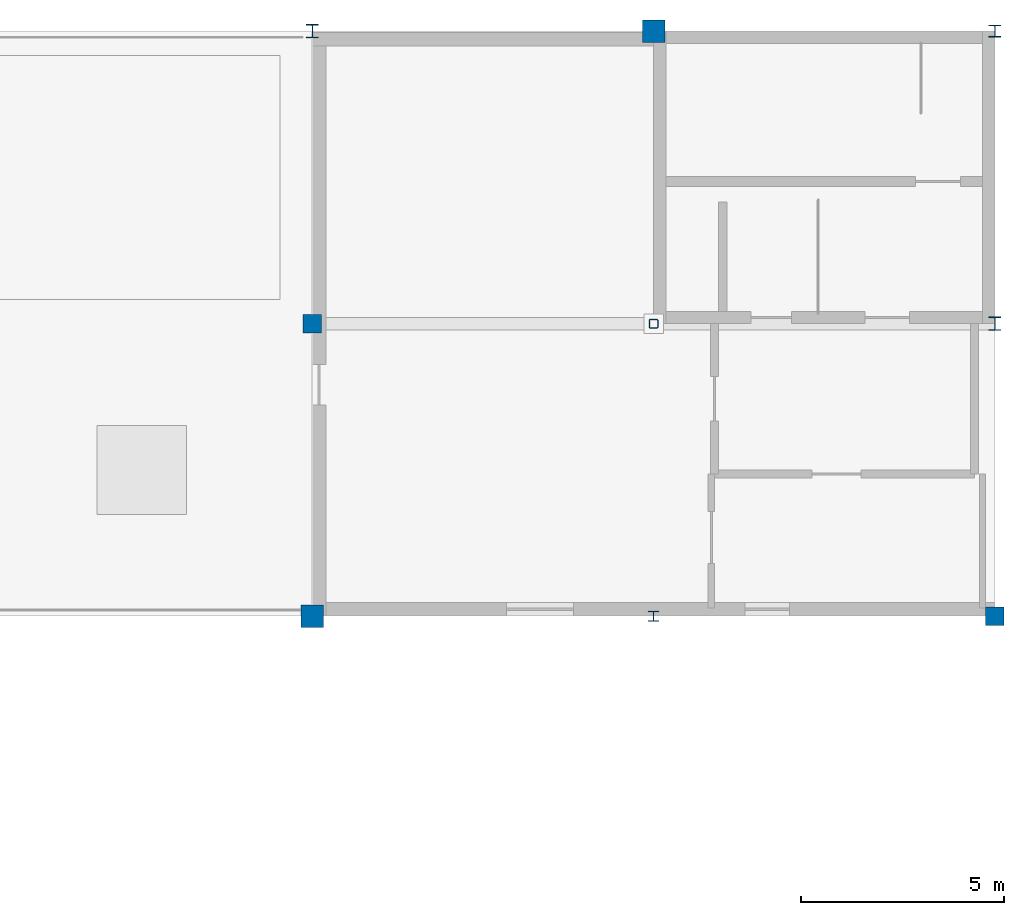
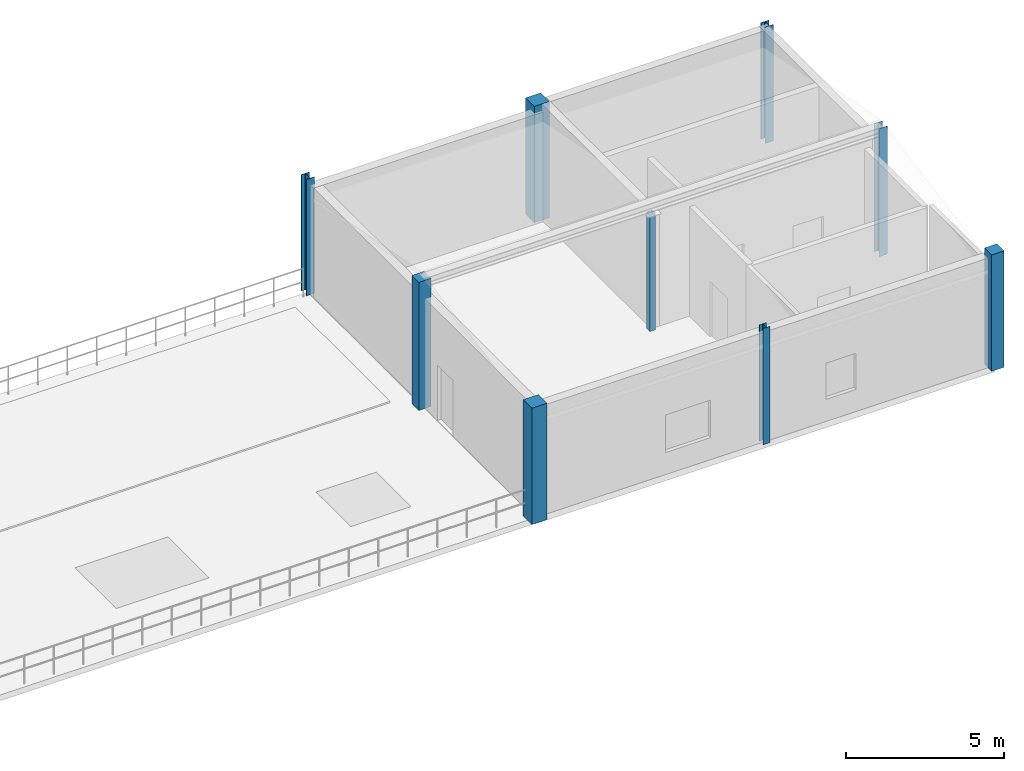
# One storey, part 2 of 5: 9 columns.
"""IFC4 building model written with IfcOpenShell, lengths in metres."""

import ifcopenshell
import ifcopenshell.guid

model = None  # the IFC model being written
_history = None  # IfcOwnerHistory: only IFC2X3 demands one
_inside = {}  # id of a spatial element -> (the spatial element, [elements in it])
_under = {}  # id of a project, library or spatial element -> (it, [spatial elements below it])
_declared = {}  # id of a project -> (the project, [libraries it declares])
_typed = {}  # id of a type object -> (the type object, [elements of that type])
_made_of = {}  # id of a material, layer set ... -> (it, [elements and type objects made of it])


def new_model(schema):
    """Start an empty IFC model of exactly this schema.

    Asked for "IFC4X3", IfcOpenShell would pick the latest addendum, in which some entities
    have other attributes; the version numbers below select the first issue.
    IFC2X3 requires an IfcOwnerHistory on every rooted entity: one is made here for all.
    """
    global model, _history
    if schema == "IFC4X3":
        model = ifcopenshell.file(schema_version=(4, 3, 0, 0))
    else:
        model = ifcopenshell.file(schema=schema)
    _inside.clear()
    _under.clear()
    _declared.clear()
    _typed.clear()
    _made_of.clear()
    _history = None
    if model.schema == "IFC2X3":
        org = make("IfcOrganization", Name="unknown")
        user = make(
            "IfcPersonAndOrganization",
            ThePerson=make("IfcPerson", FamilyName="unknown"),
            TheOrganization=org,
        )
        app = make(
            "IfcApplication",
            ApplicationDeveloper=org,
            Version="unknown",
            ApplicationFullName="unknown",
            ApplicationIdentifier="unknown",
        )
        _history = make(
            "IfcOwnerHistory",
            OwningUser=user,
            OwningApplication=app,
            ChangeAction="ADDED",
            CreationDate=0,
        )
    return model


def make(cls, **values):
    """One entity of the class cls with the attributes given. An attribute that is None is left unset."""
    return model.create_entity(
        cls, **{name: value for name, value in values.items() if value is not None}
    )


def rooted(cls, **values):
    """An entity with a GlobalId (a new one), such as an element, a storey or a relation."""
    return make(cls, GlobalId=ifcopenshell.guid.new(), OwnerHistory=_history, **values)


def si_unit(unit_type, name, prefix=None):
    """IfcSIUnit, for example si_unit("LENGTHUNIT", "METRE", prefix="MILLI")."""
    return make("IfcSIUnit", UnitType=unit_type, Prefix=prefix, Name=name)


def derived_unit(unit_type, elements):
    """IfcDerivedUnit: a product of units, each with its exponent."""
    return make(
        "IfcDerivedUnit",
        Elements=[
            make("IfcDerivedUnitElement", Unit=unit, Exponent=power)
            for unit, power in elements
        ],
        UnitType=unit_type,
    )


def assignment(units):
    """IfcUnitAssignment: the units of a project."""
    return None if units is None else make("IfcUnitAssignment", Units=units)


def point(xyz):
    """IfcCartesianPoint."""
    return None if xyz is None else make("IfcCartesianPoint", Coordinates=xyz)


def direction(xyz):
    """IfcDirection."""
    return None if xyz is None else make("IfcDirection", DirectionRatios=xyz)


def frame(location, z_axis=None, x_axis=None):
    """IfcAxis2Placement3D, a coordinate frame: its origin and axes. An axis left out is left unset."""
    return make(
        "IfcAxis2Placement3D",
        Location=point(location),
        Axis=direction(z_axis),
        RefDirection=direction(x_axis),
    )


def frame_2d(location, x_axis=None):
    """IfcAxis2Placement2D, a coordinate frame in the plane: its origin and x axis."""
    return make(
        "IfcAxis2Placement2D", Location=point(location), RefDirection=direction(x_axis)
    )


def origin():
    """The frame at (0, 0, 0) with its axes left unset."""
    return frame((0.0, 0.0, 0.0))


def origin_2d():
    """The frame at (0, 0) in the plane with its x axis left unset."""
    return frame_2d((0.0, 0.0))


def place(relative_to, where):
    """IfcLocalPlacement: puts the frame where relative to a parent placement (None: the world)."""
    return make(
        "IfcLocalPlacement", PlacementRelTo=relative_to, RelativePlacement=where
    )


def context(
    kind, dimensions, precision=None, world=None, true_north=None, identifier=None
):
    """IfcGeometricRepresentationContext, for example the 3D "Model" context."""
    return make(
        "IfcGeometricRepresentationContext",
        ContextIdentifier=identifier,
        ContextType=kind,
        CoordinateSpaceDimension=dimensions,
        Precision=precision,
        WorldCoordinateSystem=world,
        TrueNorth=true_north,
    )


def subcontext(parent, identifier, kind, view, scale=None):
    """IfcGeometricRepresentationSubContext, for example "Body" below "Model"."""
    return make(
        "IfcGeometricRepresentationSubContext",
        ContextIdentifier=identifier,
        ContextType=kind,
        ParentContext=parent,
        TargetScale=scale,
        TargetView=view,
    )


def project(units=None, contexts=None):
    """IfcProject with its units and contexts."""
    return rooted(
        "IfcProject",
        Name="project",
        RepresentationContexts=contexts,
        UnitsInContext=assignment(units),
    )


def spatial(cls, under=None, at=None, **own):
    """A site, building, storey or space (cls), placed at a placement, below another one or the project."""
    s = rooted(cls, ObjectPlacement=at, **own)
    if under is not None:
        _under.setdefault(under.id(), (under, []))[1].append(s)
    return s


def profile(cls, at=None, kind="AREA", **sizes):
    """A parametric profile (cls). Its sizes go by their IFC names, for example OverallWidth=200.0."""
    return make(cls, ProfileType=kind, Position=at, **sizes)


def rectangle(**sizes):
    """IfcRectangleProfileDef."""
    return profile("IfcRectangleProfileDef", **sizes)


def hollow_rectangle(**sizes):
    """IfcRectangleHollowProfileDef."""
    return profile("IfcRectangleHollowProfileDef", **sizes)


def i_section(**sizes):
    """IfcIShapeProfileDef."""
    return profile("IfcIShapeProfileDef", **sizes)


def extrude(swept, where, along, depth):
    """IfcExtrudedAreaSolid: the profile swept, set in the frame where, extruded along a direction by depth."""
    return make(
        "IfcExtrudedAreaSolid",
        SweptArea=swept,
        Position=where,
        ExtrudedDirection=direction(along),
        Depth=depth,
    )


def shape(context_of_items, identifier, shape_type, items):
    """IfcShapeRepresentation: the items that make up one representation, for example the "Body"."""
    return make(
        "IfcShapeRepresentation",
        ContextOfItems=context_of_items,
        RepresentationIdentifier=identifier,
        RepresentationType=shape_type,
        Items=items,
    )


def material(Name=None, Category=None):
    """IfcMaterial."""
    return make("IfcMaterial", Name=Name, Category=Category)


def material_profile(
    of_material, cross_section, Name=None, Category=None, Priority=None
):
    """IfcMaterialProfile: a cross section and its material."""
    return make(
        "IfcMaterialProfile",
        Name=Name,
        Material=of_material,
        Profile=cross_section,
        Priority=Priority,
        Category=Category,
    )


def profile_set(profiles, Name=None, composite=None):
    """IfcMaterialProfileSet."""
    return make(
        "IfcMaterialProfileSet",
        Name=Name,
        MaterialProfiles=profiles,
        CompositeProfile=composite,
    )


def made_of(thing, what):
    """Note that an element or type object is made of a material, layer set ...; save() writes the relation."""
    if what is not None:
        _made_of.setdefault(what.id(), (what, []))[1].append(thing)
    return thing


def type_object(cls, material=None, **own):
    """A type object (cls), such as IfcWallType, which elements share."""
    return made_of(rooted(cls, **own), material)


def element(
    cls,
    number,
    at=None,
    inside=None,
    cuts=None,
    type_object=None,
    material=None,
    context=None,
    identifier="Body",
    shape_type=None,
    held_by="IfcProductDefinitionShape",
    body=None,
    shapes=None,
    **own,
):
    """One element of the class cls, such as IfcWall. Its Tag is "e" and its number.

    at: its placement. inside: the storey or other place that contains it. cuts: it is an
    opening in that element (IfcRelVoidsElement). A single representation is given by context,
    identifier, shape_type and body (its items); several are given by shapes. held_by: the class
    of the entity that holds the representations. save() writes the other relations.
    """
    e = rooted(cls, Tag="e%d" % number, ObjectPlacement=at, **own)
    if body is not None:
        shapes = [shape(context, identifier, shape_type, body)]
    if shapes is not None:
        e.Representation = make(held_by, Representations=shapes)
    if inside is not None:
        _inside.setdefault(inside.id(), (inside, []))[1].append(e)
    if cuts is not None:
        rooted(
            "IfcRelVoidsElement", RelatingBuildingElement=cuts, RelatedOpeningElement=e
        )
    if type_object is not None:
        _typed.setdefault(type_object.id(), (type_object, []))[1].append(e)
    return made_of(e, material)


def aggregate(whole, parts):
    """IfcRelAggregates: a whole, such as a stair, and the parts it consists of."""
    return rooted("IfcRelAggregates", RelatingObject=whole, RelatedObjects=parts)


def save(model, path):
    """Write the relations noted so far, then the file.

    IfcRelAggregates (storeys below a building ...), IfcRelContainedInSpatialStructure (elements
    in a storey), IfcRelDefinesByType, IfcRelAssociatesMaterial and IfcRelDeclares: one each for
    every whole, place, type object, material and project.
    """
    for whole, parts in _under.values():
        aggregate(whole, parts)
    for where, things in _inside.values():
        rooted(
            "IfcRelContainedInSpatialStructure",
            RelatedElements=things,
            RelatingStructure=where,
        )
    for kind, things in _typed.values():
        rooted("IfcRelDefinesByType", RelatedObjects=things, RelatingType=kind)
    for what, things in _made_of.values():
        rooted("IfcRelAssociatesMaterial", RelatedObjects=things, RelatingMaterial=what)
    for by, libraries in _declared.values():
        rooted("IfcRelDeclares", RelatingContext=by, RelatedDefinitions=libraries)
    model.write(path)


model = new_model("IFC4")

# Units and contexts
model_context = context("Model", 3, precision=1e-05, world=origin(), true_north=direction((0.0, 1.0)))
body_context = subcontext(model_context, "Body", "Model", "MODEL_VIEW")
ifc_project = project(units=[si_unit("LENGTHUNIT", "METRE"), si_unit("AREAUNIT", "SQUARE_METRE"), si_unit("VOLUMEUNIT", "CUBIC_METRE"), si_unit("PLANEANGLEUNIT", "RADIAN"), si_unit("MASSUNIT", "GRAM", prefix="KILO"), derived_unit("THERMALTRANSMITTANCEUNIT", [(si_unit("POWERUNIT", "WATT"), 1), (si_unit("AREAUNIT", "SQUARE_METRE"), -1), (si_unit("THERMODYNAMICTEMPERATUREUNIT", "KELVIN"), -1)])], contexts=[model_context])

# Site, building, storey
site_placement = place(None, origin())
site = spatial("IfcSite", under=ifc_project, at=site_placement, CompositionType="ELEMENT")
building_placement = place(site_placement, origin())
building = spatial("IfcBuilding", under=site, at=building_placement, Name="Yasenodar Specialist Clinic", CompositionType="ELEMENT")
storey_placement = place(building_placement, frame((0.0, 0.0, 29.39990234375)))
storey = spatial("IfcBuildingStorey", under=building, at=storey_placement, Name="RF", CompositionType="ELEMENT", Elevation=29.39990234375)

# Columns
ifc_material_1 = material(Name="Concrete C35/45", Category="concrete")
ifc_material_profile_1 = material_profile(ifc_material_1, rectangle(XDim=0.449951171875, YDim=0.449951171875, at=origin_2d()), Name="RC 450x450")
ifc_profile_set_1 = profile_set([ifc_material_profile_1], Name="Concrete C35/45")
column_type_1 = type_object("IfcColumnType", Name="COL-RC-450", PredefinedType="COLUMN", material=ifc_profile_set_1)
column_1_placement = place(storey_placement, frame((105.0, 104.39990234375, 0.0), z_axis=(0.0, 0.0, 1.0), x_axis=(1.0, 0.0, 0.0)))
element("IfcColumn", 1, at=column_1_placement, inside=storey, type_object=column_type_1, Name="RF Column V5-125", PredefinedType="COLUMN", context=body_context, shape_type="SweptSolid", body=[
    extrude(rectangle(XDim=0.449951171875, YDim=0.449951171875, at=origin_2d()), origin(), (0.0, 0.0, 1.0), 4.9501953125),
])
column_2_placement = place(storey_placement, frame((121.800048828125, 97.199951171875, 0.0), z_axis=(0.0, 0.0, 1.0), x_axis=(1.0, 0.0, 0.0)))
element("IfcColumn", 2, at=column_2_placement, inside=storey, type_object=column_type_1, Name="RF Column V5-143", PredefinedType="COLUMN", context=body_context, shape_type="SweptSolid", body=[
    extrude(rectangle(XDim=0.449951171875, YDim=0.449951171875, at=origin_2d()), origin(), (0.0, 0.0, 1.0), 4.5),
])
ifc_material_profile_2 = material_profile(ifc_material_1, rectangle(XDim=0.550048828125, YDim=0.550048828125, at=origin_2d()), Name="RC 550x550")
ifc_profile_set_2 = profile_set([ifc_material_profile_2], Name="Concrete C35/45")
column_type_2 = type_object("IfcColumnType", Name="COL-RC-550", PredefinedType="COLUMN", material=ifc_profile_set_2)
for number, where, z_axis, x_axis, name in (
    (3, (105.0, 97.199951171875, 0.0), (0.0, 0.0, 1.0), (1.0, 0.0, 0.0), "RF Column V5-124"),
    (4, (113.39990234375, 111.60009765625, 0.0), (0.0, 0.0, 1.0), (1.0, 0.0, 0.0), "RF Column V5-136"),
):
    element("IfcColumn", number, at=place(storey_placement, frame(where, z_axis=z_axis, x_axis=x_axis)), inside=storey, type_object=column_type_2, Name=name, PredefinedType="COLUMN", context=body_context, shape_type="SweptSolid", body=[
        extrude(rectangle(XDim=0.550048828125, YDim=0.550048828125, at=origin_2d()), origin(), (0.0, 0.0, 1.0), 4.5),
    ])
ifc_material_2 = material(Name="Steel S355", Category="steel")
ifc_material_profile_3 = material_profile(ifc_material_2, i_section(OverallWidth=0.260009765625, OverallDepth=0.25, WebThickness=0.007568359375, FlangeThickness=0.012451171875, FilletRadius=0.02392578125, at=origin_2d()), Name="HEA 260")
ifc_profile_set_3 = profile_set([ifc_material_profile_3], Name="Steel S355")
column_type_3 = type_object("IfcColumnType", Name="COL-ST-HEA260", PredefinedType="COLUMN", material=ifc_profile_set_3)
column_3_placement = place(storey_placement, frame((113.39990234375, 97.199951171875, 0.0), z_axis=(0.0, 0.0, 1.0), x_axis=(1.0, 0.0, 0.0)))
element("IfcColumn", 5, at=column_3_placement, inside=storey, type_object=column_type_3, Name="RF Column V5-134", PredefinedType="COLUMN", context=body_context, shape_type="SweptSolid", body=[
    extrude(i_section(OverallWidth=0.260009765625, OverallDepth=0.25, WebThickness=0.007568359375, FlangeThickness=0.012451171875, FilletRadius=0.02392578125, at=origin_2d()), origin(), (0.0, 0.0, 1.0), 4.5),
])
ifc_material_profile_4 = material_profile(ifc_material_2, i_section(OverallWidth=0.300048828125, OverallDepth=0.2900390625, WebThickness=0.008544921875, FlangeThickness=0.013916015625, FilletRadius=0.027099609375, at=origin_2d()), Name="HEA 300")
ifc_profile_set_4 = profile_set([ifc_material_profile_4], Name="Steel S355")
column_type_4 = type_object("IfcColumnType", Name="COL-ST-HEA300", PredefinedType="COLUMN", material=ifc_profile_set_4)
column_4_placement = place(storey_placement, frame((121.800048828125, 111.60009765625, 0.0), z_axis=(0.0, 0.0, 1.0), x_axis=(1.0, 0.0, 0.0)))
element("IfcColumn", 6, at=column_4_placement, inside=storey, type_object=column_type_4, Name="RF Column V5-145", PredefinedType="COLUMN", context=body_context, shape_type="SweptSolid", body=[
    extrude(i_section(OverallWidth=0.300048828125, OverallDepth=0.2900390625, WebThickness=0.008544921875, FlangeThickness=0.013916015625, FilletRadius=0.027099609375, at=origin_2d()), origin(), (0.0, 0.0, 1.0), 4.5),
])
ifc_material_profile_5 = material_profile(ifc_material_2, i_section(OverallWidth=0.300048828125, OverallDepth=0.330078125, WebThickness=0.009521484375, FlangeThickness=0.0166015625, FilletRadius=0.027099609375, at=origin_2d()), Name="HEA 340")
ifc_profile_set_5 = profile_set([ifc_material_profile_5], Name="Steel S355")
column_type_5 = type_object("IfcColumnType", Name="COL-ST-HEA340", PredefinedType="COLUMN", material=ifc_profile_set_5)
column_5_placement = place(storey_placement, frame((105.0, 111.60009765625, 0.0), z_axis=(0.0, 0.0, 1.0), x_axis=(1.0, 0.0, 0.0)))
element("IfcColumn", 7, at=column_5_placement, inside=storey, type_object=column_type_5, Name="RF Column V5-126", PredefinedType="COLUMN", context=body_context, shape_type="SweptSolid", body=[
    extrude(i_section(OverallWidth=0.300048828125, OverallDepth=0.330078125, WebThickness=0.009521484375, FlangeThickness=0.0166015625, FilletRadius=0.027099609375, at=origin_2d()), origin(), (0.0, 0.0, 1.0), 4.5),
])
column_6_placement = place(storey_placement, frame((121.800048828125, 104.39990234375, 0.0), z_axis=(0.0, 0.0, 1.0), x_axis=(1.0, 0.0, 0.0)))
element("IfcColumn", 8, at=column_6_placement, inside=storey, type_object=column_type_5, Name="RF Column V5-144", PredefinedType="COLUMN", context=body_context, shape_type="SweptSolid", body=[
    extrude(i_section(OverallWidth=0.300048828125, OverallDepth=0.330078125, WebThickness=0.009521484375, FlangeThickness=0.0166015625, FilletRadius=0.027099609375, at=origin_2d()), origin(), (0.0, 0.0, 1.0), 4.9501953125),
])
ifc_material_profile_6 = material_profile(ifc_material_2, hollow_rectangle(XDim=0.219970703125, YDim=0.219970703125, WallThickness=0.012451171875, InnerFilletRadius=0.018798828125, OuterFilletRadius=0.03125, at=origin_2d()), Name="SHS 220x220x12.5")
ifc_profile_set_6 = profile_set([ifc_material_profile_6], Name="Steel S355")
column_type_6 = type_object("IfcColumnType", Name="COL-ST-SHS220", PredefinedType="COLUMN", material=ifc_profile_set_6)
column_7_placement = place(storey_placement, frame((113.39990234375, 104.39990234375, 0.0), z_axis=(0.0, 0.0, 1.0), x_axis=(1.0, 0.0, 0.0)))
element("IfcColumn", 9, at=column_7_placement, inside=storey, type_object=column_type_6, Name="RF Column V5-135", PredefinedType="COLUMN", context=body_context, shape_type="SweptSolid", body=[
    extrude(hollow_rectangle(XDim=0.219970703125, YDim=0.219970703125, WallThickness=0.012451171875, InnerFilletRadius=0.018798828125, OuterFilletRadius=0.03125, at=origin_2d()), origin(), (0.0, 0.0, 1.0), 4.5),
])

save(model, "model.ifc")
